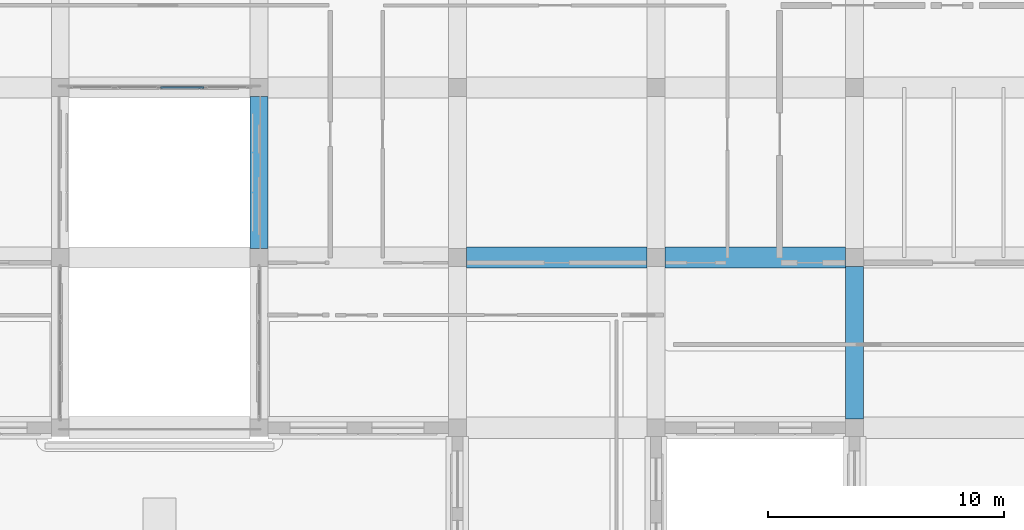
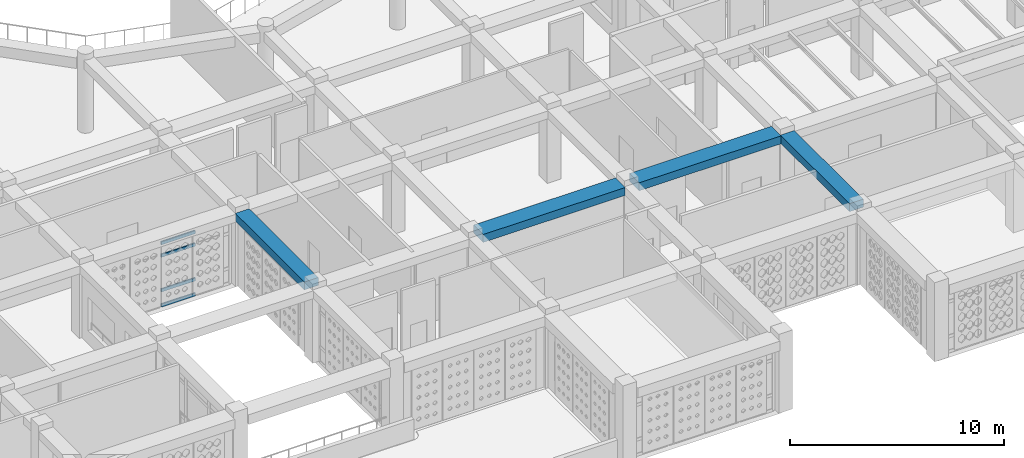
# One storey, part 17 of 111: 4 beams, 4 members, 1 element without a shape of its own.
"""IFC4 building model written with IfcOpenShell, lengths in metres."""

import ifcopenshell
import ifcopenshell.guid

model = None  # the IFC model being written
_history = None  # IfcOwnerHistory: only IFC2X3 demands one
_inside = {}  # id of a spatial element -> (the spatial element, [elements in it])
_under = {}  # id of a project, library or spatial element -> (it, [spatial elements below it])
_declared = {}  # id of a project -> (the project, [libraries it declares])
_typed = {}  # id of a type object -> (the type object, [elements of that type])
_made_of = {}  # id of a material, layer set ... -> (it, [elements and type objects made of it])


def new_model(schema):
    """Start an empty IFC model of exactly this schema.

    Asked for "IFC4X3", IfcOpenShell would pick the latest addendum, in which some entities
    have other attributes; the version numbers below select the first issue.
    IFC2X3 requires an IfcOwnerHistory on every rooted entity: one is made here for all.
    """
    global model, _history
    if schema == "IFC4X3":
        model = ifcopenshell.file(schema_version=(4, 3, 0, 0))
    else:
        model = ifcopenshell.file(schema=schema)
    _inside.clear()
    _under.clear()
    _declared.clear()
    _typed.clear()
    _made_of.clear()
    _history = None
    if model.schema == "IFC2X3":
        org = make("IfcOrganization", Name="unknown")
        user = make(
            "IfcPersonAndOrganization",
            ThePerson=make("IfcPerson", FamilyName="unknown"),
            TheOrganization=org,
        )
        app = make(
            "IfcApplication",
            ApplicationDeveloper=org,
            Version="unknown",
            ApplicationFullName="unknown",
            ApplicationIdentifier="unknown",
        )
        _history = make(
            "IfcOwnerHistory",
            OwningUser=user,
            OwningApplication=app,
            ChangeAction="ADDED",
            CreationDate=0,
        )
    return model


def make(cls, **values):
    """One entity of the class cls with the attributes given. An attribute that is None is left unset."""
    return model.create_entity(
        cls, **{name: value for name, value in values.items() if value is not None}
    )


def rooted(cls, **values):
    """An entity with a GlobalId (a new one), such as an element, a storey or a relation."""
    return make(cls, GlobalId=ifcopenshell.guid.new(), OwnerHistory=_history, **values)


def si_unit(unit_type, name, prefix=None):
    """IfcSIUnit, for example si_unit("LENGTHUNIT", "METRE", prefix="MILLI")."""
    return make("IfcSIUnit", UnitType=unit_type, Prefix=prefix, Name=name)


def derived_unit(unit_type, elements):
    """IfcDerivedUnit: a product of units, each with its exponent."""
    return make(
        "IfcDerivedUnit",
        Elements=[
            make("IfcDerivedUnitElement", Unit=unit, Exponent=power)
            for unit, power in elements
        ],
        UnitType=unit_type,
    )


def assignment(units):
    """IfcUnitAssignment: the units of a project."""
    return None if units is None else make("IfcUnitAssignment", Units=units)


def point(xyz):
    """IfcCartesianPoint."""
    return None if xyz is None else make("IfcCartesianPoint", Coordinates=xyz)


def direction(xyz):
    """IfcDirection."""
    return None if xyz is None else make("IfcDirection", DirectionRatios=xyz)


def frame(location, z_axis=None, x_axis=None):
    """IfcAxis2Placement3D, a coordinate frame: its origin and axes. An axis left out is left unset."""
    return make(
        "IfcAxis2Placement3D",
        Location=point(location),
        Axis=direction(z_axis),
        RefDirection=direction(x_axis),
    )


def frame_2d(location, x_axis=None):
    """IfcAxis2Placement2D, a coordinate frame in the plane: its origin and x axis."""
    return make(
        "IfcAxis2Placement2D", Location=point(location), RefDirection=direction(x_axis)
    )


def origin():
    """The frame at (0, 0, 0) with its axes left unset."""
    return frame((0.0, 0.0, 0.0))


def origin_2d():
    """The frame at (0, 0) in the plane with its x axis left unset."""
    return frame_2d((0.0, 0.0))


def place(relative_to, where):
    """IfcLocalPlacement: puts the frame where relative to a parent placement (None: the world)."""
    return make(
        "IfcLocalPlacement", PlacementRelTo=relative_to, RelativePlacement=where
    )


def context(
    kind, dimensions, precision=None, world=None, true_north=None, identifier=None
):
    """IfcGeometricRepresentationContext, for example the 3D "Model" context."""
    return make(
        "IfcGeometricRepresentationContext",
        ContextIdentifier=identifier,
        ContextType=kind,
        CoordinateSpaceDimension=dimensions,
        Precision=precision,
        WorldCoordinateSystem=world,
        TrueNorth=true_north,
    )


def subcontext(parent, identifier, kind, view, scale=None):
    """IfcGeometricRepresentationSubContext, for example "Body" below "Model"."""
    return make(
        "IfcGeometricRepresentationSubContext",
        ContextIdentifier=identifier,
        ContextType=kind,
        ParentContext=parent,
        TargetScale=scale,
        TargetView=view,
    )


def project(units=None, contexts=None):
    """IfcProject with its units and contexts."""
    return rooted(
        "IfcProject",
        Name="project",
        RepresentationContexts=contexts,
        UnitsInContext=assignment(units),
    )


def spatial(cls, under=None, at=None, **own):
    """A site, building, storey or space (cls), placed at a placement, below another one or the project."""
    s = rooted(cls, ObjectPlacement=at, **own)
    if under is not None:
        _under.setdefault(under.id(), (under, []))[1].append(s)
    return s


def profile(cls, at=None, kind="AREA", **sizes):
    """A parametric profile (cls). Its sizes go by their IFC names, for example OverallWidth=200.0."""
    return make(cls, ProfileType=kind, Position=at, **sizes)


def rectangle(**sizes):
    """IfcRectangleProfileDef."""
    return profile("IfcRectangleProfileDef", **sizes)


def hollow_rectangle(**sizes):
    """IfcRectangleHollowProfileDef."""
    return profile("IfcRectangleHollowProfileDef", **sizes)


def extrude(swept, where, along, depth):
    """IfcExtrudedAreaSolid: the profile swept, set in the frame where, extruded along a direction by depth."""
    return make(
        "IfcExtrudedAreaSolid",
        SweptArea=swept,
        Position=where,
        ExtrudedDirection=direction(along),
        Depth=depth,
    )


def shape(context_of_items, identifier, shape_type, items):
    """IfcShapeRepresentation: the items that make up one representation, for example the "Body"."""
    return make(
        "IfcShapeRepresentation",
        ContextOfItems=context_of_items,
        RepresentationIdentifier=identifier,
        RepresentationType=shape_type,
        Items=items,
    )


def material(Name=None, Category=None):
    """IfcMaterial."""
    return make("IfcMaterial", Name=Name, Category=Category)


def material_profile(
    of_material, cross_section, Name=None, Category=None, Priority=None
):
    """IfcMaterialProfile: a cross section and its material."""
    return make(
        "IfcMaterialProfile",
        Name=Name,
        Material=of_material,
        Profile=cross_section,
        Priority=Priority,
        Category=Category,
    )


def profile_set(profiles, Name=None, composite=None):
    """IfcMaterialProfileSet."""
    return make(
        "IfcMaterialProfileSet",
        Name=Name,
        MaterialProfiles=profiles,
        CompositeProfile=composite,
    )


def made_of(thing, what):
    """Note that an element or type object is made of a material, layer set ...; save() writes the relation."""
    if what is not None:
        _made_of.setdefault(what.id(), (what, []))[1].append(thing)
    return thing


def type_object(cls, material=None, **own):
    """A type object (cls), such as IfcWallType, which elements share."""
    return made_of(rooted(cls, **own), material)


def element(
    cls,
    number,
    at=None,
    inside=None,
    cuts=None,
    type_object=None,
    material=None,
    context=None,
    identifier="Body",
    shape_type=None,
    held_by="IfcProductDefinitionShape",
    body=None,
    shapes=None,
    **own,
):
    """One element of the class cls, such as IfcWall. Its Tag is "e" and its number.

    at: its placement. inside: the storey or other place that contains it. cuts: it is an
    opening in that element (IfcRelVoidsElement). A single representation is given by context,
    identifier, shape_type and body (its items); several are given by shapes. held_by: the class
    of the entity that holds the representations. save() writes the other relations.
    """
    e = rooted(cls, Tag="e%d" % number, ObjectPlacement=at, **own)
    if body is not None:
        shapes = [shape(context, identifier, shape_type, body)]
    if shapes is not None:
        e.Representation = make(held_by, Representations=shapes)
    if inside is not None:
        _inside.setdefault(inside.id(), (inside, []))[1].append(e)
    if cuts is not None:
        rooted(
            "IfcRelVoidsElement", RelatingBuildingElement=cuts, RelatedOpeningElement=e
        )
    if type_object is not None:
        _typed.setdefault(type_object.id(), (type_object, []))[1].append(e)
    return made_of(e, material)


def aggregate(whole, parts):
    """IfcRelAggregates: a whole, such as a stair, and the parts it consists of."""
    return rooted("IfcRelAggregates", RelatingObject=whole, RelatedObjects=parts)


def save(model, path):
    """Write the relations noted so far, then the file.

    IfcRelAggregates (storeys below a building ...), IfcRelContainedInSpatialStructure (elements
    in a storey), IfcRelDefinesByType, IfcRelAssociatesMaterial and IfcRelDeclares: one each for
    every whole, place, type object, material and project.
    """
    for whole, parts in _under.values():
        aggregate(whole, parts)
    for where, things in _inside.values():
        rooted(
            "IfcRelContainedInSpatialStructure",
            RelatedElements=things,
            RelatingStructure=where,
        )
    for kind, things in _typed.values():
        rooted("IfcRelDefinesByType", RelatedObjects=things, RelatingType=kind)
    for what, things in _made_of.values():
        rooted("IfcRelAssociatesMaterial", RelatedObjects=things, RelatingMaterial=what)
    for by, libraries in _declared.values():
        rooted("IfcRelDeclares", RelatingContext=by, RelatedDefinitions=libraries)
    model.write(path)


model = new_model("IFC4")

# Units and contexts
model_context = context("Model", 3, precision=1e-05, world=origin(), true_north=direction((0.0, 1.0)))
body_context = subcontext(model_context, "Body", "Model", "MODEL_VIEW")
ifc_project = project(units=[si_unit("LENGTHUNIT", "METRE"), si_unit("AREAUNIT", "SQUARE_METRE"), si_unit("VOLUMEUNIT", "CUBIC_METRE"), si_unit("PLANEANGLEUNIT", "RADIAN"), si_unit("MASSUNIT", "GRAM", prefix="KILO"), derived_unit("THERMALTRANSMITTANCEUNIT", [(si_unit("POWERUNIT", "WATT"), 1), (si_unit("LENGTHUNIT", "METRE"), -2), (si_unit("THERMODYNAMICTEMPERATUREUNIT", "KELVIN"), -1)])], contexts=[model_context])

# Site, building, storey
site_placement = place(None, origin())
site = spatial("IfcSite", under=ifc_project, at=site_placement, CompositionType="ELEMENT")
building_placement = place(site_placement, origin())
building = spatial("IfcBuilding", under=site, at=building_placement, Name="Veybourne Emporium", CompositionType="ELEMENT")
storey_placement = place(building_placement, frame((0.0, 0.0, 9.89990234375)))
storey = spatial("IfcBuildingStorey", under=building, at=storey_placement, Name="L02", CompositionType="ELEMENT", Elevation=9.89990234375)

# Curtain wall, members
ifc_material_1 = material(Name="Patinated Architectural Bronze", Category="bronze")
curtain_wall_type = type_object("IfcCurtainWallType", Name="CWSystem_CWS-15", PredefinedType="NOTDEFINED", material=ifc_material_1)
curtain_wall_placement = place(storey_placement, origin())
curtain_wall = element("IfcCurtainWall", 1, at=curtain_wall_placement, inside=storey, type_object=curtain_wall_type, Name="L02 bronze glazed curtain wall CWS-15 (033)", PredefinedType="NOTDEFINED")
ifc_material_profile_1 = material_profile(ifc_material_1, hollow_rectangle(XDim=0.077880859375, YDim=0.18505859375, WallThickness=0.0048828125, InnerFilletRadius=0.007568359375, OuterFilletRadius=0.012451171875, at=origin_2d()), Name="CWT 78x185x5")
ifc_profile_set_1 = profile_set([ifc_material_profile_1], Name="Patinated Architectural Bronze")
member_type = type_object("IfcMemberType", Name="CWTransom_CW-T3", PredefinedType="NOTDEFINED", material=ifc_profile_set_1)
member_1_placement = place(storey_placement, frame((64.87353515625, 21.60009765625, 0.0390625), z_axis=(-1.0, 0.0, 0.0), x_axis=(0.0, -1.0, 0.0)))
member_1 = element("IfcMember", 2, at=member_1_placement, type_object=member_type, Name="CWS-15 transom 2.1", ObjectType="TRANSOM", PredefinedType="USERDEFINED", context=body_context, shape_type="SweptSolid", body=[
    extrude(hollow_rectangle(XDim=0.077880859375, YDim=0.18505859375, WallThickness=0.0048828125, InnerFilletRadius=0.007568359375, OuterFilletRadius=0.012451171875, at=origin_2d()), origin(), (0.0, 0.0, 1.0), 1.83447265625),
])
member_2_placement = place(storey_placement, frame((64.87353515625, 21.60009765625, 0.900146484375), z_axis=(-1.0, 0.0, 0.0), x_axis=(0.0, -1.0, 0.0)))
member_2 = element("IfcMember", 3, at=member_2_placement, type_object=member_type, Name="CWS-15 transom 2.2", ObjectType="TRANSOM", PredefinedType="USERDEFINED", context=body_context, shape_type="SweptSolid", body=[
    extrude(hollow_rectangle(XDim=0.077880859375, YDim=0.18505859375, WallThickness=0.0048828125, InnerFilletRadius=0.007568359375, OuterFilletRadius=0.012451171875, at=origin_2d()), origin(), (0.0, 0.0, 1.0), 1.83447265625),
])
member_3_placement = place(storey_placement, frame((64.87353515625, 21.60009765625, 2.880126953125), z_axis=(-1.0, 0.0, 0.0), x_axis=(0.0, -1.0, 0.0)))
member_3 = element("IfcMember", 4, at=member_3_placement, type_object=member_type, Name="CWS-15 transom 2.3", ObjectType="TRANSOM", PredefinedType="USERDEFINED", context=body_context, shape_type="SweptSolid", body=[
    extrude(hollow_rectangle(XDim=0.077880859375, YDim=0.18505859375, WallThickness=0.0048828125, InnerFilletRadius=0.007568359375, OuterFilletRadius=0.012451171875, at=origin_2d()), origin(), (0.0, 0.0, 1.0), 1.83447265625),
])
member_4_placement = place(storey_placement, frame((64.87353515625, 21.60009765625, 3.591064453125), z_axis=(-1.0, 0.0, 0.0), x_axis=(0.0, -1.0, 0.0)))
member_4 = element("IfcMember", 5, at=member_4_placement, type_object=member_type, Name="CWS-15 transom 2.4", ObjectType="TRANSOM", PredefinedType="USERDEFINED", context=body_context, shape_type="SweptSolid", body=[
    extrude(hollow_rectangle(XDim=0.077880859375, YDim=0.18505859375, WallThickness=0.0048828125, InnerFilletRadius=0.007568359375, OuterFilletRadius=0.012451171875, at=origin_2d()), origin(), (0.0, 0.0, 1.0), 1.83447265625),
])
aggregate(curtain_wall, [member_1, member_2, member_3, member_4])

# Beams
ifc_material_2 = material(Name="Concrete C32/40", Category="concrete")
ifc_material_profile_2 = material_profile(ifc_material_2, rectangle(XDim=0.89990234375, YDim=0.449951171875, at=origin_2d()), Name="RC 900x450")
ifc_profile_set_2 = profile_set([ifc_material_profile_2], Name="Concrete C32/40")
beam_type_1 = type_object("IfcBeamType", Name="RCBeam_BB-03", PredefinedType="BEAM", material=ifc_profile_set_2)
for number, where, z_axis, x_axis, name in (
    (6, (75.97509765625, 14.39990234375, 3.955078125), (1.0, 0.0, 0.0), (0.0, 1.0, 0.0), "L02 X-grid beam BB-03 (9,2)"),
    (7, (84.375, 14.39990234375, 3.955078125), (1.0, 0.0, 0.0), (0.0, 1.0, 0.0), "L02 X-grid beam BB-03 (10,2)"),
):
    element("IfcBeam", number, at=place(storey_placement, frame(where, z_axis=z_axis, x_axis=x_axis)), inside=storey, type_object=beam_type_1, Name=name, PredefinedType="BEAM", context=body_context, shape_type="SweptSolid", body=[
        extrude(rectangle(XDim=0.89990234375, YDim=0.449951171875, at=origin_2d()), origin(), (0.0, 0.0, 1.0), 7.64990234375),
    ])
ifc_material_profile_3 = material_profile(ifc_material_2, rectangle(XDim=0.75, YDim=0.449951171875, at=origin_2d()), Name="RC 750x450")
ifc_profile_set_3 = profile_set([ifc_material_profile_3], Name="Concrete C32/40")
beam_type_2 = type_object("IfcBeamType", Name="RCBeam_BB-04", PredefinedType="BEAM", material=ifc_profile_set_3)
beam_1_placement = place(storey_placement, frame((67.199951171875, 14.77490234375, 3.955078125), z_axis=(0.0, 1.0, 0.0), x_axis=(-1.0, 0.0, 0.0)))
element("IfcBeam", 8, at=beam_1_placement, inside=storey, type_object=beam_type_2, Name="L02 Y-grid beam BB-04 (8,2)", PredefinedType="BEAM", context=body_context, shape_type="SweptSolid", body=[
    extrude(rectangle(XDim=0.75, YDim=0.449951171875, at=origin_2d()), origin(), (0.0, 0.0, 1.0), 6.4501953125),
])
beam_2_placement = place(storey_placement, frame((92.39990234375, 7.574951171875, 3.955078125), z_axis=(0.0, 1.0, 0.0), x_axis=(-1.0, 0.0, 0.0)))
element("IfcBeam", 9, at=beam_2_placement, inside=storey, type_object=beam_type_2, Name="L02 Y-grid beam BB-04 (11,1)", PredefinedType="BEAM", context=body_context, shape_type="SweptSolid", body=[
    extrude(rectangle(XDim=0.75, YDim=0.449951171875, at=origin_2d()), origin(), (0.0, 0.0, 1.0), 6.449951171875),
])

save(model, "model.ifc")
